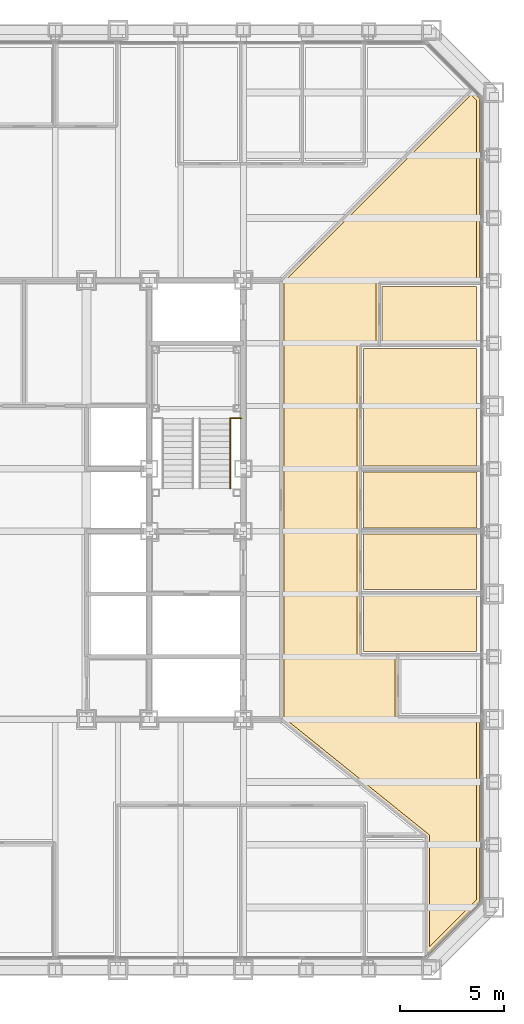
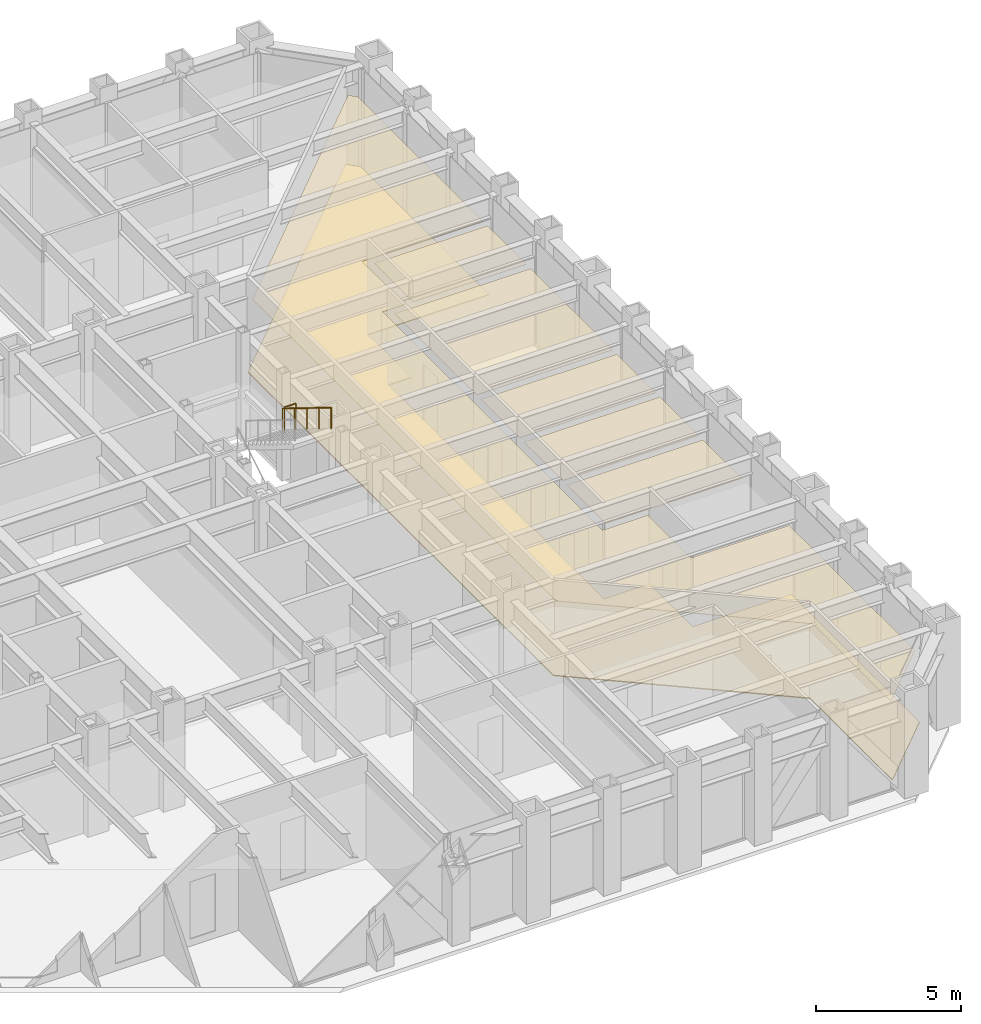
# One storey, part 16 of 17: 7 coverings, 2 railings.
"""IFC4 building model written with IfcOpenShell, lengths in metres."""

from ifc_helpers import new_model, si_unit, direction, frame, origin, origin_2d, place, context, subcontext, project, spatial, polyline, circle, outline, extrude, material, layer, layer_set, type_object, element, save


model = new_model("IFC4")

# Units and contexts
model_context = context("Model", 3, precision=1e-05, world=origin(), true_north=direction((0.0, 1.0)))
body_context = subcontext(model_context, "Body", "Model", "MODEL_VIEW")
ifc_project = project(units=[si_unit("LENGTHUNIT", "METRE"), si_unit("AREAUNIT", "SQUARE_METRE"), si_unit("VOLUMEUNIT", "CUBIC_METRE"), si_unit("PLANEANGLEUNIT", "RADIAN"), si_unit("MASSUNIT", "GRAM", prefix="KILO")], contexts=[model_context])

# Site, building, storey
site_placement = place(None, origin())
site = spatial("IfcSite", under=ifc_project, at=site_placement, CompositionType="ELEMENT")
building_placement = place(site_placement, origin())
building = spatial("IfcBuilding", under=site, at=building_placement, Name="Chuquiago Exchange Tower", CompositionType="ELEMENT")
storey_placement = place(building_placement, frame((0.0, 0.0, 42.300048828125)))
storey = spatial("IfcBuildingStorey", under=building, at=storey_placement, Name="L08", CompositionType="ELEMENT", Elevation=42.300048828125)

# Coverings
ifc_material_1 = material(Name="Mineral fibre tile, 600 x 600, on pale metal grid", Category="mineral fibre")
ifc_layer_1 = layer(ifc_material_1, 0.02001953125)
ifc_layer_set_1 = layer_set([ifc_layer_1], Name="CL1 suspended tile ceiling 20")
covering_type_1 = type_object("IfcCoveringType", Name="CL1 suspended tile ceiling 20", PredefinedType="CEILING", material=ifc_layer_set_1)
covering_1_placement = place(storey_placement, frame((0.0, 0.0, 3.0)))
element("IfcCovering", 1, at=covering_1_placement, inside=storey, type_object=covering_type_1, Name="Ceiling Trading support room", PredefinedType="CEILING", context=body_context, shape_type="SweptSolid", body=[
    extrude(outline(polyline([(38.75, 15.24560546875), (38.75, 17.907470703125), (44.14990234375, 17.907470703125), (44.14990234375, 15.24560546875), (38.75, 15.24560546875)])), origin(), (0.0, 0.0, 1.0), 0.02001953125),
])
covering_2_placement = place(storey_placement, frame((0.0, 0.0, 3.0)))
element("IfcCovering", 2, at=covering_2_placement, inside=storey, type_object=covering_type_1, Name="Ceiling Trading support room", PredefinedType="CEILING", context=body_context, shape_type="SweptSolid", body=[
    extrude(outline(polyline([(38.75, 18.20751953125), (38.75, 20.869140625), (44.14990234375, 20.869140625), (44.14990234375, 18.20751953125), (38.75, 18.20751953125)])), origin(), (0.0, 0.0, 1.0), 0.02001953125),
])
covering_3_placement = place(storey_placement, frame((0.0, 0.0, 3.0)))
element("IfcCovering", 3, at=covering_3_placement, inside=storey, type_object=covering_type_1, Name="Ceiling Trading support room", PredefinedType="CEILING", context=body_context, shape_type="SweptSolid", body=[
    extrude(outline(polyline([(38.75, 21.169189453125), (38.75, 23.830810546875), (44.14990234375, 23.830810546875), (44.14990234375, 21.169189453125), (38.75, 21.169189453125)])), origin(), (0.0, 0.0, 1.0), 0.02001953125),
])
covering_4_placement = place(storey_placement, frame((0.0, 0.0, 3.0)))
element("IfcCovering", 4, at=covering_4_placement, inside=storey, type_object=covering_type_1, Name="Ceiling Meeting room", PredefinedType="CEILING", context=body_context, shape_type="SweptSolid", body=[
    extrude(outline(polyline([(38.75, 24.130859375), (38.75, 29.75439453125), (44.14990234375, 29.75439453125), (44.14990234375, 24.130859375), (38.75, 24.130859375)])), origin(), (0.0, 0.0, 1.0), 0.02001953125),
])
covering_5_placement = place(storey_placement, frame((0.0, 0.0, 3.0)))
element("IfcCovering", 5, at=covering_5_placement, inside=storey, type_object=covering_type_1, Name="Ceiling Comms room", PredefinedType="CEILING", context=body_context, shape_type="SweptSolid", body=[
    extrude(outline(polyline([(39.64990234375, 30.054443359375), (39.64990234375, 32.71630859375), (44.14990234375, 32.71630859375), (44.14990234375, 30.054443359375), (39.64990234375, 30.054443359375)])), origin(), (0.0, 0.0, 1.0), 0.02001953125),
])
covering_6_placement = place(storey_placement, frame((0.0, 0.0, 3.0)))
element("IfcCovering", 6, at=covering_6_placement, inside=storey, type_object=covering_type_1, Name="Ceiling Trading floor east", PredefinedType="CEILING", context=body_context, shape_type="SweptSolid", body=[
    extrude(outline(polyline([(44.14990234375, 33.01611328125), (39.35009765625, 33.01611328125), (39.35009765625, 30.054443359375), (38.449951171875, 30.054443359375), (38.449951171875, 14.945556640625), (40.25, 14.945556640625), (40.25, 11.98388671875), (44.14990234375, 11.98388671875), (44.14990234375, 3.35205078125), (41.901611328125, 1.103515625), (41.90185546875, 6.47216796875), (34.949951171875, 12.072265625), (34.949951171875, 32.9375), (43.905517578125, 41.892578125), (44.14990234375, 41.64794921875), (44.14990234375, 33.01611328125)])), origin(), (0.0, 0.0, 1.0), 0.02001953125),
])

# Railings
ifc_material_2 = material(Name="Pale metal guard with safety glass infill", Category="glass")
railing_type_1 = type_object("IfcRailingType", Name="GR1 guard 1100", PredefinedType="GUARDRAIL", material=ifc_material_2)
railing_1_placement = place(storey_placement, frame((32.445068359375, 26.409912109375, 2.25)))
element("IfcRailing", 7, at=railing_1_placement, inside=storey, type_object=railing_type_1, Name="Guard ST2 L08 landing 2", PredefinedType="GUARDRAIL", context=body_context, shape_type="SweptSolid", body=[
    extrude(circle(Radius=0.02392578125, at=origin_2d()), frame((0.0, 0.0, 1.076171875), z_axis=(1.0, 0.0, 0.0), x_axis=(0.0, 1.0, 0.0)), (0.0, 0.0, 1.0), 0.454833984375),
    extrude(circle(Radius=0.02099609375, at=origin_2d()), origin(), (0.0, 0.0, 1.0), 1.052001953125),
    extrude(circle(Radius=0.02099609375, at=origin_2d()), frame((0.454833984375, 0.0, 0.0)), (0.0, 0.0, 1.0), 1.052001953125),
])
ifc_material_3 = material(Name="Pale metal handrail", Category="steel")
railing_type_2 = type_object("IfcRailingType", Name="HR1 handrail 900", PredefinedType="HANDRAIL", material=ifc_material_3)
railing_2_placement = place(storey_placement, frame((32.364990234375, 26.409912109375, 2.423095703125)))
element("IfcRailing", 8, at=railing_2_placement, inside=storey, type_object=railing_type_2, Name="Handrail ST2 L08 flight 2", PredefinedType="HANDRAIL", context=body_context, shape_type="SweptSolid", body=[
    extrude(circle(Radius=0.02392578125, at=origin_2d()), frame((0.0, 0.0, 0.8759765625), z_axis=(0.0, -0.850606129759, 0.525803396734), x_axis=(1.0, 0.0, 0.0)), (0.0, 0.0, 1.0), 3.949951171875),
    extrude(circle(Radius=0.02099609375, at=origin_2d()), origin(), (0.0, 0.0, 1.0), 0.851806640625),
    extrude(circle(Radius=0.02099609375, at=origin_2d()), frame((0.0, -0.83984375, 0.519287109375)), (0.0, 0.0, 1.0), 0.851806640625),
    extrude(circle(Radius=0.02099609375, at=origin_2d()), frame((0.0, -1.679931640625, 1.03857421875)), (0.0, 0.0, 1.0), 0.851806640625),
    extrude(circle(Radius=0.02099609375, at=origin_2d()), frame((0.0, -2.52001953125, 1.5576171875)), (0.0, 0.0, 1.0), 0.851806640625),
    extrude(circle(Radius=0.02099609375, at=origin_2d()), frame((0.0, -3.35986328125, 2.076904296875)), (0.0, 0.0, 1.0), 0.851806640625),
])

# Covering
ifc_material_4 = material(Name="Steel raised floor panel", Category="steel")
ifc_layer_2 = layer(ifc_material_4, 0.0400390625)
ifc_layer_set_2 = layer_set([ifc_layer_2], Name="RF1 raised access floor 40")
covering_type_2 = type_object("IfcCoveringType", Name="RF1 raised access floor 40", PredefinedType="FLOORING", material=ifc_layer_set_2)
covering_7_placement = place(storey_placement, frame((0.0, 0.0, -0.0400390625)))
element("IfcCovering", 9, at=covering_7_placement, inside=storey, type_object=covering_type_2, Name="Raised access floor Trading floor east", PredefinedType="FLOORING", context=body_context, shape_type="SweptSolid", body=[
    extrude(outline(polyline([(44.300048828125, 41.710205078125), (44.300048828125, 32.8662109375), (39.5, 32.8662109375), (39.5, 29.904296875), (38.60009765625, 29.904296875), (38.60009765625, 15.095703125), (40.39990234375, 15.095703125), (40.39990234375, 12.1337890625), (44.300048828125, 12.1337890625), (44.300048828125, 3.289794921875), (41.75146484375, 0.741455078125), (41.751953125, 6.400390625), (34.800048828125, 12.00048828125), (34.800048828125, 32.99951171875), (43.905517578125, 42.104736328125), (44.300048828125, 41.710205078125)])), origin(), (0.0, 0.0, 1.0), 0.0400390625),
])

save(model, "model.ifc")
